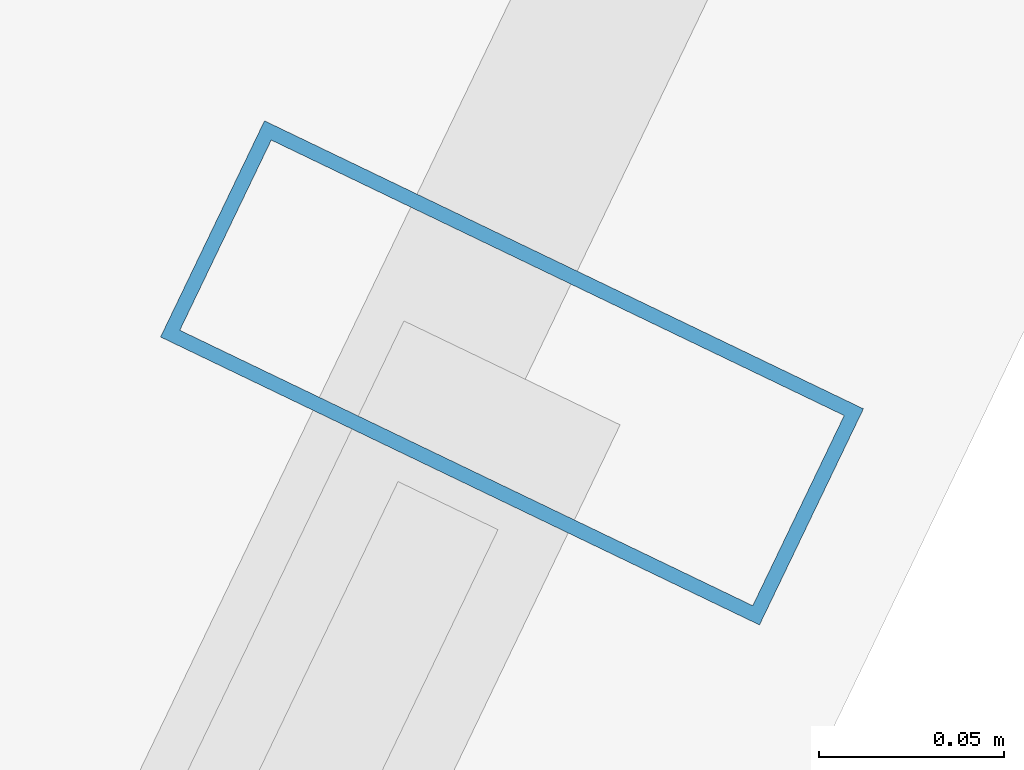
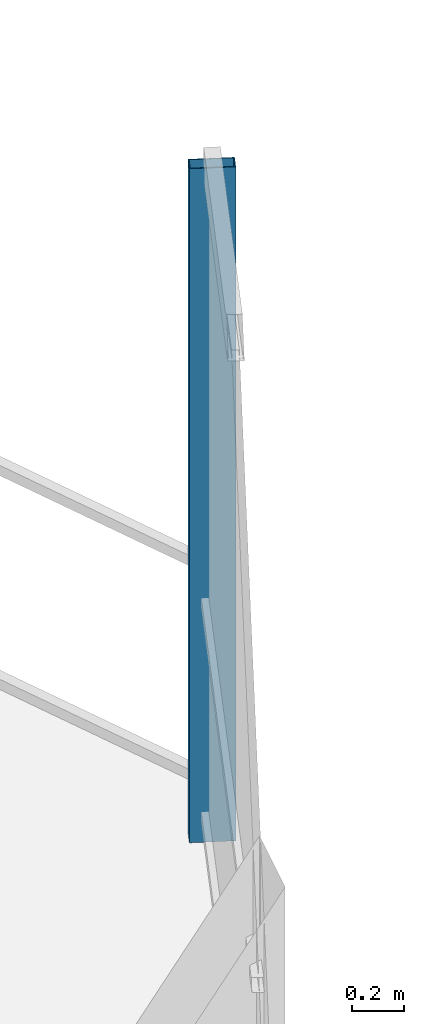
# One storey, part 23 of 30: 1 member, 1 element without a shape of its own.
"""IFC4 building model written with IfcOpenShell, lengths in metres."""

from ifc_helpers import new_model, si_unit, direction, frame, origin, origin_2d, place, context, subcontext, project, spatial, hollow_rectangle, extrude, material, layer, layer_set, material_profile, profile_set, type_object, element, aggregate, save


model = new_model("IFC4")

# Units and contexts
model_context = context("Model", 3, precision=1e-05, world=origin(), true_north=direction((0.0, 1.0)))
body_context = subcontext(model_context, "Body", "Model", "MODEL_VIEW")
ifc_project = project(units=[si_unit("LENGTHUNIT", "METRE"), si_unit("AREAUNIT", "SQUARE_METRE"), si_unit("VOLUMEUNIT", "CUBIC_METRE"), si_unit("PLANEANGLEUNIT", "RADIAN"), si_unit("MASSUNIT", "GRAM", prefix="KILO")], contexts=[model_context])

# Site, building, storey
site_placement = place(None, origin())
site = spatial("IfcSite", under=ifc_project, at=site_placement, CompositionType="ELEMENT")
building_placement = place(site_placement, origin())
building = spatial("IfcBuilding", under=site, at=building_placement, Name="Qarnah Convention Tower", CompositionType="ELEMENT")
storey_placement = place(building_placement, frame((0.0, 0.0, 83.25)))
storey = spatial("IfcBuildingStorey", under=building, at=storey_placement, Name="L21", CompositionType="ELEMENT", Elevation=83.25)

# Curtain wall, member
ifc_material_1 = material(Name="Tempered Low-E dark glass", Category="glass")
ifc_layer = layer(ifc_material_1, 0.169921875)
ifc_layer_set = layer_set([ifc_layer], Name="Tempered Low-E dark glass")
curtain_wall_type = type_object("IfcCurtainWallType", Name="CWS-02", PredefinedType="NOTDEFINED", material=ifc_layer_set)
curtain_wall_placement = place(storey_placement, origin())
curtain_wall = element("IfcCurtainWall", 1, at=curtain_wall_placement, inside=storey, type_object=curtain_wall_type, Name="L21 unitised curtain wall CW-L21-F1", PredefinedType="NOTDEFINED")
ifc_material_2 = material(Name="Black anodised aluminium", Category="aluminium")
ifc_material_profile = material_profile(ifc_material_2, hollow_rectangle(XDim=0.06494140625, YDim=0.179931640625, WallThickness=0.00390625, at=origin_2d()), Name="MUL-65X180")
ifc_profile_set = profile_set([ifc_material_profile], Name="Black anodised aluminium")
member_type = type_object("IfcMemberType", Name="MUL-T2", PredefinedType="MULLION", material=ifc_profile_set)
member_placement = place(storey_placement, frame((61.8330078125, 33.388916015625, 0.0), z_axis=(0.0, 0.0, 1.0), x_axis=(-0.433332348361, -0.901234195903, 0.0)))
member = element("IfcMember", 2, at=member_placement, type_object=member_type, Name="CW-L21-F1 mullion 1", PredefinedType="MULLION", context=body_context, shape_type="SweptSolid", body=[
    extrude(hollow_rectangle(XDim=0.06494140625, YDim=0.179931640625, WallThickness=0.00390625, at=origin_2d()), origin(), (0.0, 0.0, 1.0), 3.169921875),
])
aggregate(curtain_wall, [member])

save(model, "model.ifc")
